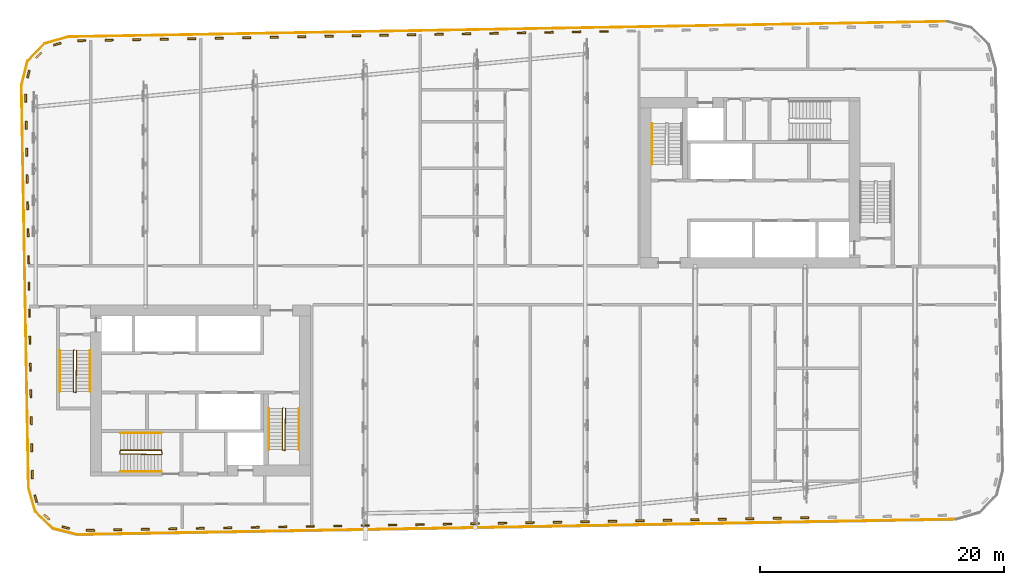
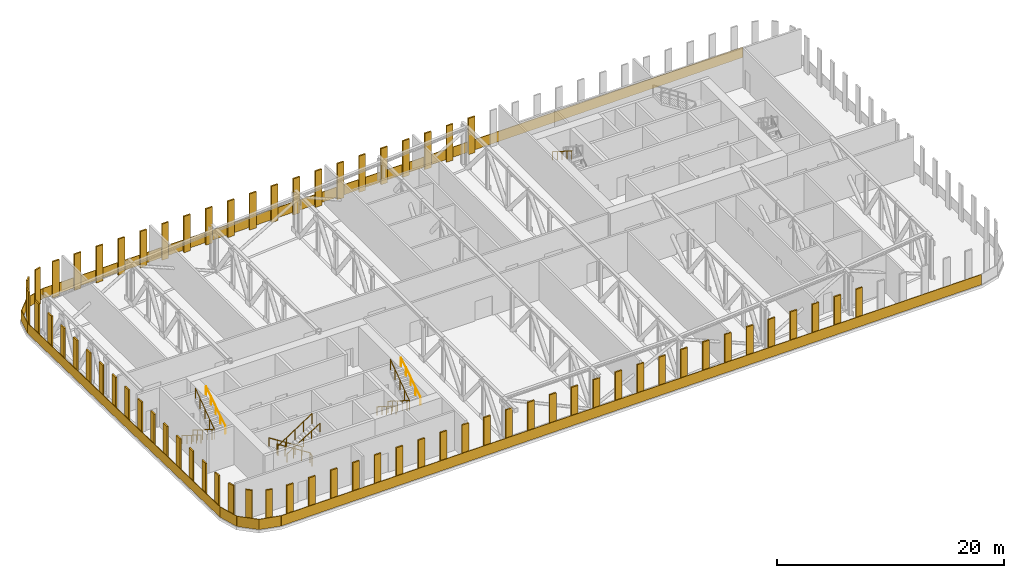
# One storey, part 25 of 26: 68 shading devices, 19 railings.
"""IFC4 building model written with IfcOpenShell, lengths in metres."""

from ifc_helpers import new_model, si_unit, direction, frame, origin, origin_2d, place, context, subcontext, project, spatial, polyline, rectangle, circle, outline, extrude, material, type_object, element, save


model = new_model("IFC4")

# Units and contexts
model_context = context("Model", 3, precision=1e-05, world=origin(), true_north=direction((0.0, 1.0)))
body_context = subcontext(model_context, "Body", "Model", "MODEL_VIEW")
ifc_project = project(units=[si_unit("LENGTHUNIT", "METRE"), si_unit("AREAUNIT", "SQUARE_METRE"), si_unit("VOLUMEUNIT", "CUBIC_METRE"), si_unit("PLANEANGLEUNIT", "RADIAN"), si_unit("MASSUNIT", "GRAM", prefix="KILO")], contexts=[model_context])

# Site, building, storey
site_placement = place(None, origin())
site = spatial("IfcSite", under=ifc_project, at=site_placement, CompositionType="ELEMENT")
building_placement = place(site_placement, origin())
building = spatial("IfcBuilding", under=site, at=building_placement, Name="Kajstack Hotel Tower", CompositionType="ELEMENT")
storey_placement = place(building_placement, frame((0.0, 0.0, 257.300048828125)))
storey = spatial("IfcBuildingStorey", under=building, at=storey_placement, Name="L64", CompositionType="ELEMENT", Elevation=257.300048828125)

# Railings
ifc_material = material(Name="Steel S355J2", Category="steel")
railing_type_1 = type_object("IfcRailingType", Name="GUARD-FACADE", PredefinedType="GUARDRAIL", material=ifc_material)
railing_1_placement = place(storey_placement, frame((-36.586181640625, -16.477783203125, 0.0)))
element("IfcRailing", 1, at=railing_1_placement, inside=storey, type_object=railing_type_1, Name="Guard L64 slab edge 01", PredefinedType="GUARDRAIL", context=body_context, shape_type="SweptSolid", body=[
    extrude(outline(polyline([(0.586181640625, -1.935791015625), (0.528564453125, -1.952392578125), (-0.02880859375, -0.00830078125), (0.02880859375, 0.00830078125), (0.586181640625, -1.935791015625)])), origin(), (0.0, 0.0, 1.0), 1.10009765625),
])
railing_2_placement = place(storey_placement, frame((-36.02880859375, -18.421875, 0.0)))
element("IfcRailing", 2, at=railing_2_placement, inside=storey, type_object=railing_type_1, Name="Guard L64 slab edge 02", PredefinedType="GUARDRAIL", context=body_context, shape_type="SweptSolid", body=[
    extrude(outline(polyline([(1.4638671875, -1.372314453125), (1.42236328125, -1.415283203125), (-0.020751953125, -0.021484375), (0.020751953125, 0.021484375), (1.4638671875, -1.372314453125)])), origin(), (0.0, 0.0, 1.0), 1.10009765625),
])
railing_3_placement = place(storey_placement, frame((-34.585693359375, -19.815673828125, 0.0)))
element("IfcRailing", 3, at=railing_3_placement, inside=storey, type_object=railing_type_1, Name="Guard L64 slab edge 03", PredefinedType="GUARDRAIL", context=body_context, shape_type="SweptSolid", body=[
    extrude(outline(polyline([(1.969970703125, -0.460205078125), (1.955322265625, -0.518310546875), (-0.00732421875, -0.029052734375), (0.00732421875, 0.029052734375), (1.969970703125, -0.460205078125)])), origin(), (0.0, 0.0, 1.0), 1.10009765625),
])
railing_4_placement = place(storey_placement, frame((-32.623046875, -20.304931640625, 0.0)))
element("IfcRailing", 4, at=railing_4_placement, inside=storey, type_object=railing_type_1, Name="Guard L64 slab edge 04", PredefinedType="GUARDRAIL", context=body_context, shape_type="SweptSolid", body=[
    extrude(outline(polyline([(71.95703125, 1.2861328125), (71.9580078125, 1.22607421875), (0.00048828125, -0.030029296875), (-0.00048828125, 0.030029296875), (71.95703125, 1.2861328125)])), origin(), (0.0, 0.0, 1.0), 1.10009765625),
])
railing_5_placement = place(storey_placement, frame((38.623046875, 21.704833984375, 0.0)))
element("IfcRailing", 5, at=railing_5_placement, inside=storey, type_object=railing_type_1, Name="Guard L64 slab edge 12", PredefinedType="GUARDRAIL", context=body_context, shape_type="SweptSolid", body=[
    extrude(outline(polyline([(-71.95703125, -1.285888671875), (-71.9580078125, -1.225830078125), (-0.00048828125, 0.030029296875), (0.00048828125, -0.030029296875), (-71.95703125, -1.285888671875)])), origin(), (0.0, 0.0, 1.0), 1.10009765625),
])
railing_6_placement = place(storey_placement, frame((-33.33447265625, 20.448974609375, 0.0)))
element("IfcRailing", 6, at=railing_6_placement, inside=storey, type_object=railing_type_1, Name="Guard L64 slab edge 13", PredefinedType="GUARDRAIL", context=body_context, shape_type="SweptSolid", body=[
    extrude(outline(polyline([(-1.935791015625, -0.58642578125), (-1.952392578125, -0.52880859375), (-0.00830078125, 0.02880859375), (0.00830078125, -0.02880859375), (-1.935791015625, -0.58642578125)])), origin(), (0.0, 0.0, 1.0), 1.10009765625),
])
railing_7_placement = place(storey_placement, frame((-35.278564453125, 19.891357421875, 0.0)))
element("IfcRailing", 7, at=railing_7_placement, inside=storey, type_object=railing_type_1, Name="Guard L64 slab edge 14", PredefinedType="GUARDRAIL", context=body_context, shape_type="SweptSolid", body=[
    extrude(outline(polyline([(-1.372314453125, -1.4638671875), (-1.415283203125, -1.42236328125), (-0.021484375, 0.020751953125), (0.021484375, -0.020751953125), (-1.372314453125, -1.4638671875)])), origin(), (0.0, 0.0, 1.0), 1.10009765625),
])
railing_8_placement = place(storey_placement, frame((-36.67236328125, 18.4482421875, 0.0)))
element("IfcRailing", 8, at=railing_8_placement, inside=storey, type_object=railing_type_1, Name="Guard L64 slab edge 15", PredefinedType="GUARDRAIL", context=body_context, shape_type="SweptSolid", body=[
    extrude(outline(polyline([(-0.460205078125, -1.969970703125), (-0.518310546875, -1.955322265625), (-0.029052734375, 0.00732421875), (0.029052734375, -0.00732421875), (-0.460205078125, -1.969970703125)])), origin(), (0.0, 0.0, 1.0), 1.10009765625),
])
railing_9_placement = place(storey_placement, frame((-37.16162109375, 16.485595703125, 0.0)))
element("IfcRailing", 9, at=railing_9_placement, inside=storey, type_object=railing_type_1, Name="Guard L64 slab edge 16", PredefinedType="GUARDRAIL", context=body_context, shape_type="SweptSolid", body=[
    extrude(outline(polyline([(0.60546875, -32.962890625), (0.54541015625, -32.9638671875), (-0.030029296875, -0.00048828125), (0.030029296875, 0.00048828125), (0.60546875, -32.962890625)])), origin(), (0.0, 0.0, 1.0), 1.10009765625),
])
railing_type_2 = type_object("IfcRailingType", Name="Stair guard 1100", PredefinedType="GUARDRAIL", material=ifc_material)
railing_10_placement = place(storey_placement, frame((-32.85009765625, -5.199951171875, 0.0)))
element("IfcRailing", 10, at=railing_10_placement, inside=storey, type_object=railing_type_2, Name="L64 W1 stair guard 1", PredefinedType="GUARDRAIL", context=body_context, shape_type="SweptSolid", body=[
    extrude(circle(Radius=0.02392578125, at=origin_2d()), frame((0.0, 0.0, 1.076171875), z_axis=(-0.261663861435, -0.262946527422, 0.928650174897), x_axis=(0.708833529934, -0.705375805398, 0.0)), (0.0, 0.0, 1.0), 0.1904296875),
    extrude(circle(Radius=0.02392578125, at=origin_2d()), frame((-0.0498046875, -0.050048828125, 1.2529296875), z_axis=(0.0, -0.845361898145, 0.534194029511), x_axis=(1.0, 0.0, 0.0)), (0.0, 0.0, 1.0), 3.974853515625),
    extrude(circle(Radius=0.02392578125, at=origin_2d()), frame((-0.0498046875, -3.41015625, 3.3759765625), z_axis=(0.970351222016, -0.241699205484, 0.0), x_axis=(0.241699205484, 0.970351222016, 0.0)), (0.0, 0.0, 1.0), 0.2060546875),
    extrude(circle(Radius=0.02392578125, at=origin_2d()), frame((0.150146484375, -3.4599609375, 3.3759765625), z_axis=(0.012167607547, 0.828999876131, 0.559116405323), x_axis=(-0.999892303572, 0.014675873289, 0.0)), (0.0, 0.0, 1.0), 4.11328125),
    extrude(circle(Radius=0.02099609375, at=origin_2d()), origin(), (0.0, 0.0, 1.0), 1.052001953125),
    extrude(circle(Radius=0.02099609375, at=origin_2d()), frame((-0.0498046875, -0.050048828125, 0.1767578125)), (0.0, 0.0, 1.0), 1.052001953125),
    extrude(circle(Radius=0.02099609375, at=origin_2d()), frame((-0.0498046875, -0.89013671875, 0.70751953125)), (0.0, 0.0, 1.0), 1.052001953125),
    extrude(circle(Radius=0.02099609375, at=origin_2d()), frame((-0.0498046875, -1.72998046875, 1.23828125)), (0.0, 0.0, 1.0), 1.052001953125),
    extrude(circle(Radius=0.02099609375, at=origin_2d()), frame((-0.0498046875, -2.570068359375, 1.769287109375)), (0.0, 0.0, 1.0), 1.052001953125),
    extrude(circle(Radius=0.02099609375, at=origin_2d()), frame((-0.0498046875, -3.41015625, 2.300048828125)), (0.0, 0.0, 1.0), 1.052001953125),
    extrude(circle(Radius=0.02099609375, at=origin_2d()), frame((0.150146484375, -3.4599609375, 2.300048828125)), (0.0, 0.0, 1.0), 1.052001953125),
    extrude(circle(Radius=0.02099609375, at=origin_2d()), frame((0.16259765625, -2.607421875, 2.875)), (0.0, 0.0, 1.0), 1.052001953125),
    extrude(circle(Radius=0.02099609375, at=origin_2d()), frame((0.17529296875, -1.7548828125, 3.449951171875)), (0.0, 0.0, 1.0), 1.052001953125),
    extrude(circle(Radius=0.02099609375, at=origin_2d()), frame((0.187744140625, -0.902587890625, 4.02490234375)), (0.0, 0.0, 1.0), 1.052001953125),
    extrude(circle(Radius=0.02099609375, at=origin_2d()), frame((0.2001953125, -0.050048828125, 4.599853515625)), (0.0, 0.0, 1.0), 1.052001953125),
])
railing_11_placement = place(storey_placement, frame((-15.75, -9.949951171875, 0.0)))
element("IfcRailing", 11, at=railing_11_placement, inside=storey, type_object=railing_type_2, Name="L64 W2 stair guard 1", PredefinedType="GUARDRAIL", context=body_context, shape_type="SweptSolid", body=[
    extrude(circle(Radius=0.02392578125, at=origin_2d()), frame((0.0, 0.0, 1.076171875), z_axis=(-0.262858103699, -0.262858103699, 0.928337888185), x_axis=(0.707106781187, -0.707106781187, 0.0)), (0.0, 0.0, 1.0), 0.1904296875),
    extrude(circle(Radius=0.02392578125, at=origin_2d()), frame((-0.050048828125, -0.050048828125, 1.2529296875), z_axis=(0.0, -0.845361898145, 0.534194029511), x_axis=(1.0, 0.0, 0.0)), (0.0, 0.0, 1.0), 3.974853515625),
    extrude(circle(Radius=0.02392578125, at=origin_2d()), frame((-0.050048828125, -3.41015625, 3.3759765625), z_axis=(0.970351222016, -0.241699205484, 0.0), x_axis=(0.241699205484, 0.970351222016, 0.0)), (0.0, 0.0, 1.0), 0.2060546875),
    extrude(circle(Radius=0.02392578125, at=origin_2d()), frame((0.14990234375, -3.4599609375, 3.3759765625), z_axis=(0.012167607547, 0.828999876131, 0.559116405323), x_axis=(-0.999892303572, 0.014675873289, 0.0)), (0.0, 0.0, 1.0), 4.11328125),
    extrude(circle(Radius=0.02099609375, at=origin_2d()), origin(), (0.0, 0.0, 1.0), 1.052001953125),
    extrude(circle(Radius=0.02099609375, at=origin_2d()), frame((-0.050048828125, -0.050048828125, 0.1767578125)), (0.0, 0.0, 1.0), 1.052001953125),
    extrude(circle(Radius=0.02099609375, at=origin_2d()), frame((-0.050048828125, -0.89013671875, 0.70751953125)), (0.0, 0.0, 1.0), 1.052001953125),
    extrude(circle(Radius=0.02099609375, at=origin_2d()), frame((-0.050048828125, -1.72998046875, 1.23828125)), (0.0, 0.0, 1.0), 1.052001953125),
    extrude(circle(Radius=0.02099609375, at=origin_2d()), frame((-0.050048828125, -2.570068359375, 1.769287109375)), (0.0, 0.0, 1.0), 1.052001953125),
    extrude(circle(Radius=0.02099609375, at=origin_2d()), frame((-0.050048828125, -3.41015625, 2.300048828125)), (0.0, 0.0, 1.0), 1.052001953125),
    extrude(circle(Radius=0.02099609375, at=origin_2d()), frame((0.14990234375, -3.4599609375, 2.300048828125)), (0.0, 0.0, 1.0), 1.052001953125),
    extrude(circle(Radius=0.02099609375, at=origin_2d()), frame((0.162353515625, -2.607421875, 2.875)), (0.0, 0.0, 1.0), 1.052001953125),
    extrude(circle(Radius=0.02099609375, at=origin_2d()), frame((0.1748046875, -1.7548828125, 3.449951171875)), (0.0, 0.0, 1.0), 1.052001953125),
    extrude(circle(Radius=0.02099609375, at=origin_2d()), frame((0.1875, -0.902587890625, 4.02490234375)), (0.0, 0.0, 1.0), 1.052001953125),
    extrude(circle(Radius=0.02099609375, at=origin_2d()), frame((0.199951171875, -0.050048828125, 4.599853515625)), (0.0, 0.0, 1.0), 1.052001953125),
])
railing_12_placement = place(storey_placement, frame((-25.64990234375, -13.699951171875, 0.0)))
element("IfcRailing", 12, at=railing_12_placement, inside=storey, type_object=railing_type_2, Name="L64 W3 stair guard 1", PredefinedType="GUARDRAIL", context=body_context, shape_type="SweptSolid", body=[
    extrude(circle(Radius=0.02392578125, at=origin_2d()), frame((0.0, 0.0, 1.076171875), z_axis=(-0.142256803, 0.852846882373, 0.502409392057), x_axis=(-0.986372223864, -0.164529134168, 0.0)), (0.0, 0.0, 1.0), 0.351806640625),
    extrude(circle(Radius=0.02392578125, at=origin_2d()), frame((-0.050048828125, 0.300048828125, 1.2529296875), z_axis=(-0.845361898145, 0.0, 0.534194029511), x_axis=(0.0, -1.0, 0.0)), (0.0, 0.0, 1.0), 3.974853515625),
    extrude(circle(Radius=0.02392578125, at=origin_2d()), frame((-3.41015625, 0.300048828125, 3.3759765625), z_axis=(-0.164529134168, -0.986372223864, 0.0), x_axis=(0.986372223864, -0.164529134168, 0.0)), (0.0, 0.0, 1.0), 0.30419921875),
    extrude(circle(Radius=0.02392578125, at=origin_2d()), frame((-3.460205078125, 0.0, 3.3759765625), z_axis=(0.829018438328, -0.012167008867, 0.559088895264), x_axis=(0.014674822837, 0.99989231899, 0.0)), (0.0, 0.0, 1.0), 4.113525390625),
    extrude(circle(Radius=0.02099609375, at=origin_2d()), origin(), (0.0, 0.0, 1.0), 1.052001953125),
    extrude(circle(Radius=0.02099609375, at=origin_2d()), frame((-0.050048828125, 0.300048828125, 0.1767578125)), (0.0, 0.0, 1.0), 1.052001953125),
    extrude(circle(Radius=0.02099609375, at=origin_2d()), frame((-0.89013671875, 0.300048828125, 0.70751953125)), (0.0, 0.0, 1.0), 1.052001953125),
    extrude(circle(Radius=0.02099609375, at=origin_2d()), frame((-1.72998046875, 0.300048828125, 1.23828125)), (0.0, 0.0, 1.0), 1.052001953125),
    extrude(circle(Radius=0.02099609375, at=origin_2d()), frame((-2.570068359375, 0.300048828125, 1.769287109375)), (0.0, 0.0, 1.0), 1.052001953125),
    extrude(circle(Radius=0.02099609375, at=origin_2d()), frame((-3.41015625, 0.300048828125, 2.300048828125)), (0.0, 0.0, 1.0), 1.052001953125),
    extrude(circle(Radius=0.02099609375, at=origin_2d()), frame((-3.460205078125, 0.0, 2.300048828125)), (0.0, 0.0, 1.0), 1.052001953125),
    extrude(circle(Radius=0.02099609375, at=origin_2d()), frame((-2.607666015625, -0.012451171875, 2.875)), (0.0, 0.0, 1.0), 1.052001953125),
    extrude(circle(Radius=0.02099609375, at=origin_2d()), frame((-1.755126953125, -0.02490234375, 3.449951171875)), (0.0, 0.0, 1.0), 1.052001953125),
    extrude(circle(Radius=0.02099609375, at=origin_2d()), frame((-0.902587890625, -0.03759765625, 4.02490234375)), (0.0, 0.0, 1.0), 1.052001953125),
    extrude(circle(Radius=0.02099609375, at=origin_2d()), frame((-0.050048828125, -0.050048828125, 4.599853515625)), (0.0, 0.0, 1.0), 1.052001953125),
])
railing_type_3 = type_object("IfcRailingType", Name="Stair handrail 900", PredefinedType="HANDRAIL", material=ifc_material)
railing_13_placement = place(storey_placement, frame((-34.0, -5.25, 0.1767578125)))
element("IfcRailing", 13, at=railing_13_placement, inside=storey, type_object=railing_type_3, Name="L64 W1 stair handrail 1", PredefinedType="HANDRAIL", context=body_context, shape_type="SweptSolid", body=[
    extrude(circle(Radius=0.02392578125, at=origin_2d()), frame((0.0, 0.0, 0.8759765625), z_axis=(0.0, -0.845361898145, 0.534194029511), x_axis=(1.0, 0.0, 0.0)), (0.0, 0.0, 1.0), 3.974853515625),
    extrude(circle(Radius=0.02099609375, at=origin_2d()), origin(), (0.0, 0.0, 1.0), 0.851806640625),
    extrude(circle(Radius=0.02099609375, at=origin_2d()), frame((0.0, -0.840087890625, 0.53076171875)), (0.0, 0.0, 1.0), 0.851806640625),
    extrude(circle(Radius=0.02099609375, at=origin_2d()), frame((0.0, -1.68017578125, 1.0615234375)), (0.0, 0.0, 1.0), 0.851806640625),
    extrude(circle(Radius=0.02099609375, at=origin_2d()), frame((0.0, -2.52001953125, 1.592529296875)), (0.0, 0.0, 1.0), 0.851806640625),
    extrude(circle(Radius=0.02099609375, at=origin_2d()), frame((0.0, -3.360107421875, 2.123291015625)), (0.0, 0.0, 1.0), 0.851806640625),
])
railing_14_placement = place(storey_placement, frame((-31.550048828125, -8.610107421875, 2.476806640625)))
element("IfcRailing", 14, at=railing_14_placement, inside=storey, type_object=railing_type_3, Name="L64 W1 stair handrail 2", PredefinedType="HANDRAIL", context=body_context, shape_type="SweptSolid", body=[
    extrude(circle(Radius=0.02392578125, at=origin_2d()), frame((0.0, 0.0, 0.8759765625), z_axis=(0.0, 0.845389635667, 0.534150132366), x_axis=(-1.0, 0.0, 0.0)), (0.0, 0.0, 1.0), 3.974609375),
    extrude(circle(Radius=0.02099609375, at=origin_2d()), origin(), (0.0, 0.0, 1.0), 0.851806640625),
    extrude(circle(Radius=0.02099609375, at=origin_2d()), frame((0.0, 0.840087890625, 0.53076171875)), (0.0, 0.0, 1.0), 0.851806640625),
    extrude(circle(Radius=0.02099609375, at=origin_2d()), frame((0.0, 1.68017578125, 1.0615234375)), (0.0, 0.0, 1.0), 0.851806640625),
    extrude(circle(Radius=0.02099609375, at=origin_2d()), frame((0.0, 2.52001953125, 1.59228515625)), (0.0, 0.0, 1.0), 0.851806640625),
    extrude(circle(Radius=0.02099609375, at=origin_2d()), frame((0.0, 3.360107421875, 2.123046875)), (0.0, 0.0, 1.0), 0.851806640625),
])
railing_15_placement = place(storey_placement, frame((-16.89990234375, -10.0, 0.1767578125)))
element("IfcRailing", 15, at=railing_15_placement, inside=storey, type_object=railing_type_3, Name="L64 W2 stair handrail 1", PredefinedType="HANDRAIL", context=body_context, shape_type="SweptSolid", body=[
    extrude(circle(Radius=0.02392578125, at=origin_2d()), frame((0.0, 0.0, 0.8759765625), z_axis=(0.0, -0.845361898145, 0.534194029511), x_axis=(1.0, 0.0, 0.0)), (0.0, 0.0, 1.0), 3.974853515625),
    extrude(circle(Radius=0.02099609375, at=origin_2d()), origin(), (0.0, 0.0, 1.0), 0.851806640625),
    extrude(circle(Radius=0.02099609375, at=origin_2d()), frame((0.0, -0.840087890625, 0.53076171875)), (0.0, 0.0, 1.0), 0.851806640625),
    extrude(circle(Radius=0.02099609375, at=origin_2d()), frame((0.0, -1.68017578125, 1.0615234375)), (0.0, 0.0, 1.0), 0.851806640625),
    extrude(circle(Radius=0.02099609375, at=origin_2d()), frame((0.0, -2.52001953125, 1.592529296875)), (0.0, 0.0, 1.0), 0.851806640625),
    extrude(circle(Radius=0.02099609375, at=origin_2d()), frame((0.0, -3.360107421875, 2.123291015625)), (0.0, 0.0, 1.0), 0.851806640625),
])
railing_16_placement = place(storey_placement, frame((-14.449951171875, -13.360107421875, 2.476806640625)))
element("IfcRailing", 16, at=railing_16_placement, inside=storey, type_object=railing_type_3, Name="L64 W2 stair handrail 2", PredefinedType="HANDRAIL", context=body_context, shape_type="SweptSolid", body=[
    extrude(circle(Radius=0.02392578125, at=origin_2d()), frame((0.0, 0.0, 0.8759765625), z_axis=(0.0, 0.845389635667, 0.534150132366), x_axis=(-1.0, 0.0, 0.0)), (0.0, 0.0, 1.0), 3.974609375),
    extrude(circle(Radius=0.02099609375, at=origin_2d()), origin(), (0.0, 0.0, 1.0), 0.851806640625),
    extrude(circle(Radius=0.02099609375, at=origin_2d()), frame((0.0, 0.840087890625, 0.53076171875)), (0.0, 0.0, 1.0), 0.851806640625),
    extrude(circle(Radius=0.02099609375, at=origin_2d()), frame((0.0, 1.68017578125, 1.0615234375)), (0.0, 0.0, 1.0), 0.851806640625),
    extrude(circle(Radius=0.02099609375, at=origin_2d()), frame((0.0, 2.52001953125, 1.59228515625)), (0.0, 0.0, 1.0), 0.851806640625),
    extrude(circle(Radius=0.02099609375, at=origin_2d()), frame((0.0, 3.360107421875, 2.123046875)), (0.0, 0.0, 1.0), 0.851806640625),
])
railing_17_placement = place(storey_placement, frame((-25.699951171875, -12.0, 0.1767578125)))
element("IfcRailing", 17, at=railing_17_placement, inside=storey, type_object=railing_type_3, Name="L64 W3 stair handrail 1", PredefinedType="HANDRAIL", context=body_context, shape_type="SweptSolid", body=[
    extrude(circle(Radius=0.02392578125, at=origin_2d()), frame((0.0, 0.0, 0.8759765625), z_axis=(-0.845361898145, 0.0, 0.534194029511), x_axis=(0.0, -1.0, 0.0)), (0.0, 0.0, 1.0), 3.974853515625),
    extrude(circle(Radius=0.02099609375, at=origin_2d()), origin(), (0.0, 0.0, 1.0), 0.851806640625),
    extrude(circle(Radius=0.02099609375, at=origin_2d()), frame((-0.840087890625, 0.0, 0.53076171875)), (0.0, 0.0, 1.0), 0.851806640625),
    extrude(circle(Radius=0.02099609375, at=origin_2d()), frame((-1.68017578125, 0.0, 1.0615234375)), (0.0, 0.0, 1.0), 0.851806640625),
    extrude(circle(Radius=0.02099609375, at=origin_2d()), frame((-2.52001953125, 0.0, 1.592529296875)), (0.0, 0.0, 1.0), 0.851806640625),
    extrude(circle(Radius=0.02099609375, at=origin_2d()), frame((-3.360107421875, 0.0, 2.123291015625)), (0.0, 0.0, 1.0), 0.851806640625),
])
railing_18_placement = place(storey_placement, frame((-29.06005859375, -15.14990234375, 2.476806640625)))
element("IfcRailing", 18, at=railing_18_placement, inside=storey, type_object=railing_type_3, Name="L64 W3 stair handrail 2", PredefinedType="HANDRAIL", context=body_context, shape_type="SweptSolid", body=[
    extrude(circle(Radius=0.02392578125, at=origin_2d()), frame((0.0, 0.0, 0.8759765625), z_axis=(0.845389635667, 0.0, 0.534150132366), x_axis=(0.0, 1.0, 0.0)), (0.0, 0.0, 1.0), 3.974609375),
    extrude(circle(Radius=0.02099609375, at=origin_2d()), origin(), (0.0, 0.0, 1.0), 0.851806640625),
    extrude(circle(Radius=0.02099609375, at=origin_2d()), frame((0.840087890625, 0.0, 0.53076171875)), (0.0, 0.0, 1.0), 0.851806640625),
    extrude(circle(Radius=0.02099609375, at=origin_2d()), frame((1.68017578125, 0.0, 1.0615234375)), (0.0, 0.0, 1.0), 0.851806640625),
    extrude(circle(Radius=0.02099609375, at=origin_2d()), frame((2.52001953125, 0.0, 1.59228515625)), (0.0, 0.0, 1.0), 0.851806640625),
    extrude(circle(Radius=0.02099609375, at=origin_2d()), frame((3.360107421875, 0.0, 2.123046875)), (0.0, 0.0, 1.0), 0.851806640625),
])
railing_19_placement = place(storey_placement, frame((14.449951171875, 13.360107421875, 2.476806640625)))
element("IfcRailing", 19, at=railing_19_placement, inside=storey, type_object=railing_type_3, Name="L64 E2 stair handrail 2", PredefinedType="HANDRAIL", context=body_context, shape_type="SweptSolid", body=[
    extrude(circle(Radius=0.02392578125, at=origin_2d()), frame((0.0, 0.0, 0.8759765625), z_axis=(0.0, -0.845389635667, 0.534150132366), x_axis=(1.0, 0.0, 0.0)), (0.0, 0.0, 1.0), 3.974609375),
    extrude(circle(Radius=0.02099609375, at=origin_2d()), origin(), (0.0, 0.0, 1.0), 0.851806640625),
    extrude(circle(Radius=0.02099609375, at=origin_2d()), frame((0.0, -0.840087890625, 0.53076171875)), (0.0, 0.0, 1.0), 0.851806640625),
    extrude(circle(Radius=0.02099609375, at=origin_2d()), frame((0.0, -1.68017578125, 1.0615234375)), (0.0, 0.0, 1.0), 0.851806640625),
    extrude(circle(Radius=0.02099609375, at=origin_2d()), frame((0.0, -2.52001953125, 1.59228515625)), (0.0, 0.0, 1.0), 0.851806640625),
    extrude(circle(Radius=0.02099609375, at=origin_2d()), frame((0.0, -3.360107421875, 2.123046875)), (0.0, 0.0, 1.0), 0.851806640625),
])

# Shading devices
for number, where, z_axis, x_axis, name in (
    (20, (-36.812744140625, 15.407470703125, 0.0), (0.0, 0.0, 1.0), (0.017454535415, -0.999847657993, 0.0), "Screen L64-00-01"),
    (21, (-36.7744140625, 13.207763671875, 0.0), (0.0, 0.0, 1.0), (0.017454535415, -0.999847657993, 0.0), "Screen L64-00-02"),
    (22, (-36.736083984375, 11.008056640625, 0.0), (0.0, 0.0, 1.0), (0.017454535415, -0.999847657993, 0.0), "Screen L64-00-03"),
    (23, (-36.697509765625, 8.808349609375, 0.0), (0.0, 0.0, 1.0), (0.017454535415, -0.999847657993, 0.0), "Screen L64-00-04"),
    (24, (-36.6591796875, 6.608642578125, 0.0), (0.0, 0.0, 1.0), (0.017454535415, -0.999847657993, 0.0), "Screen L64-00-05"),
    (25, (-36.620849609375, 4.4091796875, 0.0), (0.0, 0.0, 1.0), (0.017454535415, -0.999847657993, 0.0), "Screen L64-00-06"),
    (26, (-36.582275390625, 2.20947265625, 0.0), (0.0, 0.0, 1.0), (0.017454535415, -0.999847657993, 0.0), "Screen L64-00-07"),
    (27, (-36.5439453125, 0.009765625, 0.0), (0.0, 0.0, 1.0), (0.017454535415, -0.999847657993, 0.0), "Screen L64-00-08"),
    (28, (-36.505615234375, -2.18994140625, 0.0), (0.0, 0.0, 1.0), (0.017454535415, -0.999847657993, 0.0), "Screen L64-00-09"),
    (29, (-36.46728515625, -4.3896484375, 0.0), (0.0, 0.0, 1.0), (0.017454535415, -0.999847657993, 0.0), "Screen L64-00-10"),
    (30, (-36.4287109375, -6.58935546875, 0.0), (0.0, 0.0, 1.0), (0.017454535415, -0.999847657993, 0.0), "Screen L64-00-11"),
    (31, (-36.390380859375, -8.788818359375, 0.0), (0.0, 0.0, 1.0), (0.017454535415, -0.999847657993, 0.0), "Screen L64-00-12"),
    (32, (-36.35205078125, -10.988525390625, 0.0), (0.0, 0.0, 1.0), (0.017454535415, -0.999847657993, 0.0), "Screen L64-00-13"),
    (33, (-36.3134765625, -13.188232421875, 0.0), (0.0, 0.0, 1.0), (0.017454535415, -0.999847657993, 0.0), "Screen L64-00-14"),
    (34, (-36.275146484375, -15.387939453125, 0.0), (0.0, 0.0, 1.0), (0.017454535415, -0.999847657993, 0.0), "Screen L64-00-15"),
):
    element("IfcShadingDevice", number, at=place(storey_placement, frame(where, z_axis=z_axis, x_axis=x_axis)), inside=storey, Name=name, ObjectType="SCREEN", PredefinedType="USERDEFINED", context=body_context, shape_type="SweptSolid", body=[
        extrude(rectangle(XDim=0.659912109375, YDim=0.14990234375, at=origin_2d()), origin(), (0.0, 0.0, 1.0), 3.89990234375),
    ])
for number, where, z_axis, x_axis, name in (
    (35, (-35.988037109375, -17.36669921875, 0.0), (0.0, 0.0, 1.0), (0.275633195073, -0.961262889003, 0.0), "Screen L64-01-01"),
    (36, (-35.077880859375, -18.88134765625, 0.0), (0.0, 0.0, 1.0), (0.719314909149, -0.694684145116, 0.0), "Screen L64-02-01"),
    (37, (-33.532470703125, -19.738037109375, 0.0), (0.0, 0.0, 1.0), (0.970298546729, -0.2419105831, 0.0), "Screen L64-03-01"),
):
    element("IfcShadingDevice", number, at=place(storey_placement, frame(where, z_axis=z_axis, x_axis=x_axis)), inside=storey, Name=name, ObjectType="SCREEN", PredefinedType="USERDEFINED", context=body_context, shape_type="SweptSolid", body=[
        extrude(rectangle(XDim=0.62109375, YDim=0.14990234375, at=origin_2d()), origin(), (0.0, 0.0, 1.0), 3.89990234375),
    ])
for number, where, z_axis, x_axis, name in (
    (38, (-31.519775390625, -19.95556640625, 0.0), (0.0, 0.0, 1.0), (0.999847688455, 0.017452790351, 0.0), "Screen L64-04-01"),
    (39, (-29.27001953125, -19.916259765625, 0.0), (0.0, 0.0, 1.0), (0.999847688455, 0.017452790351, 0.0), "Screen L64-04-02"),
    (40, (-27.0205078125, -19.877197265625, 0.0), (0.0, 0.0, 1.0), (0.999847688455, 0.017452790351, 0.0), "Screen L64-04-03"),
    (41, (-24.770751953125, -19.837890625, 0.0), (0.0, 0.0, 1.0), (0.999847688455, 0.017452790351, 0.0), "Screen L64-04-04"),
    (42, (-22.52099609375, -19.798583984375, 0.0), (0.0, 0.0, 1.0), (0.999847688455, 0.017452790351, 0.0), "Screen L64-04-05"),
    (43, (-20.271484375, -19.75927734375, 0.0), (0.0, 0.0, 1.0), (0.999847688455, 0.017452790351, 0.0), "Screen L64-04-06"),
    (44, (-18.021728515625, -19.719970703125, 0.0), (0.0, 0.0, 1.0), (0.999847688455, 0.017452790351, 0.0), "Screen L64-04-07"),
    (45, (-15.772216796875, -19.6806640625, 0.0), (0.0, 0.0, 1.0), (0.999847688455, 0.017452790351, 0.0), "Screen L64-04-08"),
    (46, (-13.5224609375, -19.6416015625, 0.0), (0.0, 0.0, 1.0), (0.999847688455, 0.017452790351, 0.0), "Screen L64-04-09"),
    (47, (-11.272705078125, -19.602294921875, 0.0), (0.0, 0.0, 1.0), (0.999847688455, 0.017452790351, 0.0), "Screen L64-04-10"),
    (48, (-9.023193359375, -19.56298828125, 0.0), (0.0, 0.0, 1.0), (0.999847688455, 0.017452790351, 0.0), "Screen L64-04-11"),
    (49, (-6.7734375, -19.523681640625, 0.0), (0.0, 0.0, 1.0), (0.999847688455, 0.017452790351, 0.0), "Screen L64-04-12"),
    (50, (-4.52392578125, -19.484375, 0.0), (0.0, 0.0, 1.0), (0.999847688455, 0.017452790351, 0.0), "Screen L64-04-13"),
    (51, (-2.274169921875, -19.445068359375, 0.0), (0.0, 0.0, 1.0), (0.999847688455, 0.017452790351, 0.0), "Screen L64-04-14"),
    (52, (-0.024658203125, -19.40576171875, 0.0), (0.0, 0.0, 1.0), (0.999847688455, 0.017452790351, 0.0), "Screen L64-04-15"),
    (53, (2.22509765625, -19.36669921875, 0.0), (0.0, 0.0, 1.0), (0.999847688455, 0.017452790351, 0.0), "Screen L64-04-16"),
    (54, (4.474853515625, -19.327392578125, 0.0), (0.0, 0.0, 1.0), (0.999847688455, 0.017452790351, 0.0), "Screen L64-04-17"),
    (55, (6.724365234375, -19.2880859375, 0.0), (0.0, 0.0, 1.0), (0.999847688455, 0.017452790351, 0.0), "Screen L64-04-18"),
    (56, (8.97412109375, -19.248779296875, 0.0), (0.0, 0.0, 1.0), (0.999847688455, 0.017452790351, 0.0), "Screen L64-04-19"),
    (57, (11.2236328125, -19.20947265625, 0.0), (0.0, 0.0, 1.0), (0.999847688455, 0.017452790351, 0.0), "Screen L64-04-20"),
    (58, (13.473388671875, -19.170166015625, 0.0), (0.0, 0.0, 1.0), (0.999847688455, 0.017452790351, 0.0), "Screen L64-04-21"),
    (59, (15.72314453125, -19.131103515625, 0.0), (0.0, 0.0, 1.0), (0.999847688455, 0.017452790351, 0.0), "Screen L64-04-22"),
    (60, (17.97265625, -19.091796875, 0.0), (0.0, 0.0, 1.0), (0.999847688455, 0.017452790351, 0.0), "Screen L64-04-23"),
    (61, (20.222412109375, -19.052490234375, 0.0), (0.0, 0.0, 1.0), (0.999847688455, 0.017452790351, 0.0), "Screen L64-04-24"),
    (62, (22.471923828125, -19.01318359375, 0.0), (0.0, 0.0, 1.0), (0.999847688455, 0.017452790351, 0.0), "Screen L64-04-25"),
    (63, (24.7216796875, -18.973876953125, 0.0), (0.0, 0.0, 1.0), (0.999847688455, 0.017452790351, 0.0), "Screen L64-04-26"),
    (64, (26.971435546875, -18.9345703125, 0.0), (0.0, 0.0, 1.0), (0.999847688455, 0.017452790351, 0.0), "Screen L64-04-27"),
    (65, (10.52392578125, 20.884521484375, 0.0), (0.0, 0.0, 1.0), (-0.999847688455, -0.017452790351, 0.0), "Screen L64-12-13"),
    (66, (8.274169921875, 20.84521484375, 0.0), (0.0, 0.0, 1.0), (-0.999847688455, -0.017452790351, 0.0), "Screen L64-12-14"),
    (67, (6.024658203125, 20.805908203125, 0.0), (0.0, 0.0, 1.0), (-0.999847688455, -0.017452790351, 0.0), "Screen L64-12-15"),
    (68, (3.77490234375, 20.7666015625, 0.0), (0.0, 0.0, 1.0), (-0.999847688455, -0.017452790351, 0.0), "Screen L64-12-16"),
    (69, (1.525146484375, 20.727294921875, 0.0), (0.0, 0.0, 1.0), (-0.999847688455, -0.017452790351, 0.0), "Screen L64-12-17"),
    (70, (-0.724365234375, 20.68798828125, 0.0), (0.0, 0.0, 1.0), (-0.999847688455, -0.017452790351, 0.0), "Screen L64-12-18"),
    (71, (-2.97412109375, 20.648681640625, 0.0), (0.0, 0.0, 1.0), (-0.999847688455, -0.017452790351, 0.0), "Screen L64-12-19"),
    (72, (-5.2236328125, 20.609619140625, 0.0), (0.0, 0.0, 1.0), (-0.999847688455, -0.017452790351, 0.0), "Screen L64-12-20"),
    (73, (-7.473388671875, 20.5703125, 0.0), (0.0, 0.0, 1.0), (-0.999847688455, -0.017452790351, 0.0), "Screen L64-12-21"),
    (74, (-9.72314453125, 20.531005859375, 0.0), (0.0, 0.0, 1.0), (-0.999847688455, -0.017452790351, 0.0), "Screen L64-12-22"),
    (75, (-11.97265625, 20.49169921875, 0.0), (0.0, 0.0, 1.0), (-0.999847688455, -0.017452790351, 0.0), "Screen L64-12-23"),
    (76, (-14.222412109375, 20.452392578125, 0.0), (0.0, 0.0, 1.0), (-0.999847688455, -0.017452790351, 0.0), "Screen L64-12-24"),
    (77, (-16.471923828125, 20.4130859375, 0.0), (0.0, 0.0, 1.0), (-0.999847688455, -0.017452790351, 0.0), "Screen L64-12-25"),
    (78, (-18.7216796875, 20.3740234375, 0.0), (0.0, 0.0, 1.0), (-0.999847688455, -0.017452790351, 0.0), "Screen L64-12-26"),
    (79, (-20.971435546875, 20.334716796875, 0.0), (0.0, 0.0, 1.0), (-0.999847688455, -0.017452790351, 0.0), "Screen L64-12-27"),
    (80, (-23.220947265625, 20.29541015625, 0.0), (0.0, 0.0, 1.0), (-0.999847688455, -0.017452790351, 0.0), "Screen L64-12-28"),
    (81, (-25.470703125, 20.256103515625, 0.0), (0.0, 0.0, 1.0), (-0.999847688455, -0.017452790351, 0.0), "Screen L64-12-29"),
    (82, (-27.72021484375, 20.216796875, 0.0), (0.0, 0.0, 1.0), (-0.999847688455, -0.017452790351, 0.0), "Screen L64-12-30"),
    (83, (-29.969970703125, 20.177490234375, 0.0), (0.0, 0.0, 1.0), (-0.999847688455, -0.017452790351, 0.0), "Screen L64-12-31"),
    (84, (-32.2197265625, 20.13818359375, 0.0), (0.0, 0.0, 1.0), (-0.999847688455, -0.017452790351, 0.0), "Screen L64-12-32"),
):
    element("IfcShadingDevice", number, at=place(storey_placement, frame(where, z_axis=z_axis, x_axis=x_axis)), inside=storey, Name=name, ObjectType="SCREEN", PredefinedType="USERDEFINED", context=body_context, shape_type="SweptSolid", body=[
        extrude(rectangle(XDim=0.675048828125, YDim=0.14990234375, at=origin_2d()), origin(), (0.0, 0.0, 1.0), 3.89990234375),
    ])
for number, where, z_axis, x_axis, name in (
    (85, (-34.223388671875, 19.8505859375, 0.0), (0.0, 0.0, 1.0), (-0.961262889003, -0.275633195073, 0.0), "Screen L64-13-01"),
    (86, (-35.738037109375, 18.940673828125, 0.0), (0.0, 0.0, 1.0), (-0.694660015142, -0.719338212083, 0.0), "Screen L64-14-01"),
    (87, (-36.5947265625, 17.39501953125, 0.0), (0.0, 0.0, 1.0), (-0.241921912535, -0.970295722054, 0.0), "Screen L64-15-01"),
):
    element("IfcShadingDevice", number, at=place(storey_placement, frame(where, z_axis=z_axis, x_axis=x_axis)), inside=storey, Name=name, ObjectType="SCREEN", PredefinedType="USERDEFINED", context=body_context, shape_type="SweptSolid", body=[
        extrude(rectangle(XDim=0.62109375, YDim=0.14990234375, at=origin_2d()), origin(), (0.0, 0.0, 1.0), 3.89990234375),
    ])

save(model, "model.ifc")
